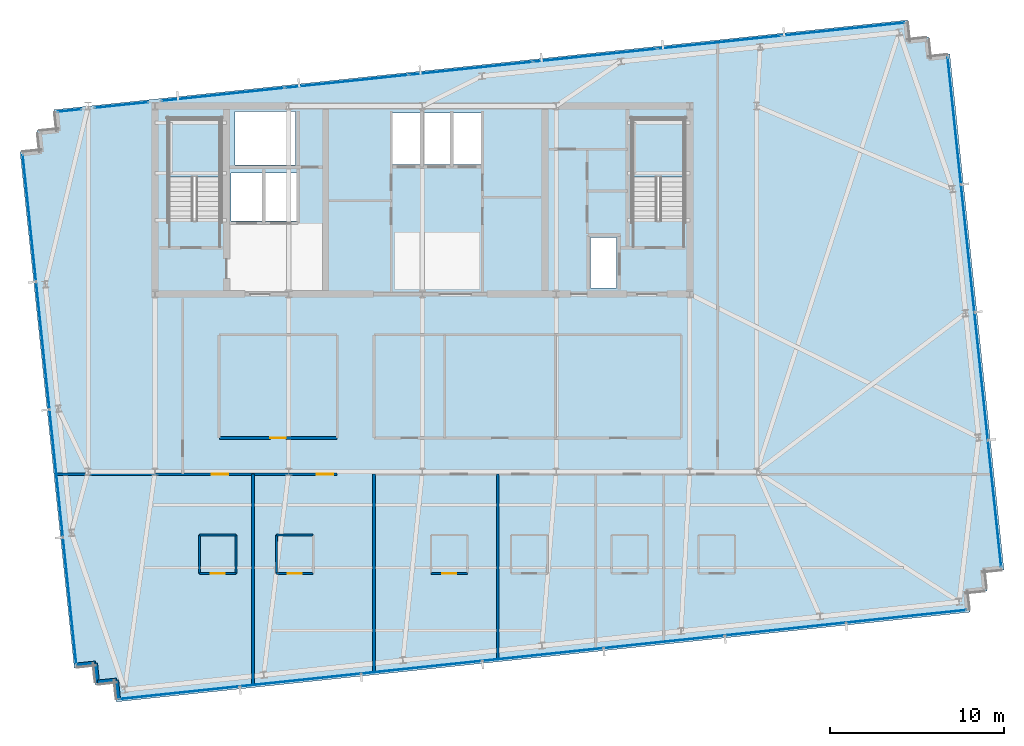
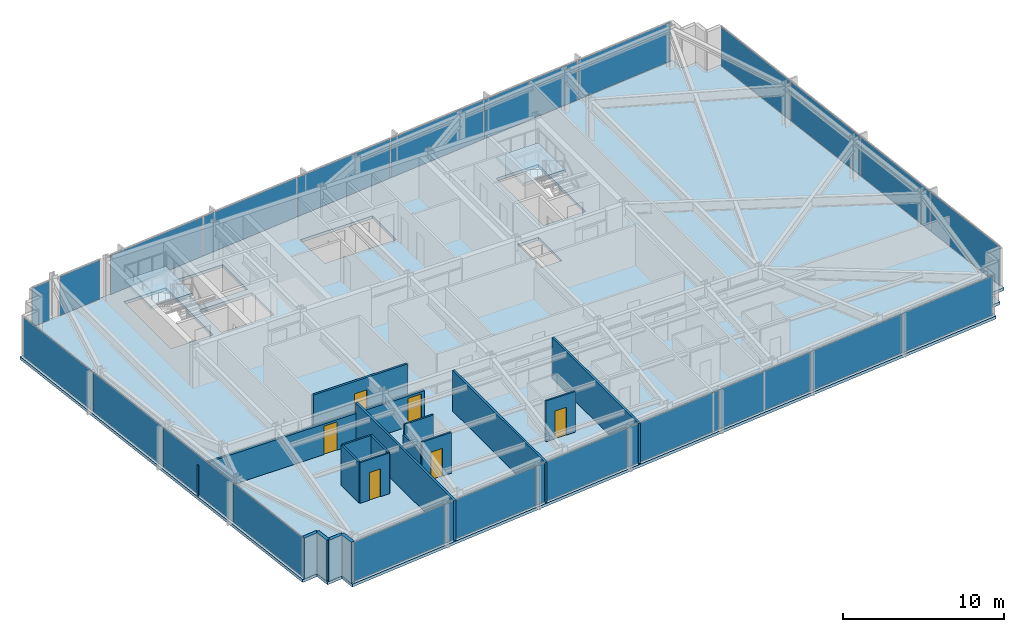
# One storey, part 26 of 33: 23 plates, 17 walls, 6 doors, 3 slabs, 6 openings, 8 elements without a shape of their own.
"""IFC4 building model written with IfcOpenShell, lengths in metres."""

from ifc_helpers import new_model, si_unit, direction, frame, frame_2d, origin, origin_2d, place, context, subcontext, project, spatial, polyline, rectangle, outline, extrude, material, layer, layer_set, type_object, element, fill, aggregate, save


model = new_model("IFC4")

# Units and contexts
model_context = context("Model", 3, precision=1e-05, world=origin(), true_north=direction((0.0, 1.0)))
body_context = subcontext(model_context, "Body", "Model", "MODEL_VIEW")
ifc_project = project(units=[si_unit("LENGTHUNIT", "METRE"), si_unit("AREAUNIT", "SQUARE_METRE"), si_unit("VOLUMEUNIT", "CUBIC_METRE"), si_unit("PLANEANGLEUNIT", "RADIAN"), si_unit("MASSUNIT", "GRAM", prefix="KILO")], contexts=[model_context])

# Site, building, storey
site_placement = place(None, origin())
site = spatial("IfcSite", under=ifc_project, at=site_placement, CompositionType="ELEMENT")
building_placement = place(site_placement, origin())
building = spatial("IfcBuilding", under=site, at=building_placement, Name="Yelkora Congress Tower", CompositionType="ELEMENT")
storey_placement = place(building_placement, frame((0.0, 0.0, 237.5)))
storey = spatial("IfcBuildingStorey", under=building, at=storey_placement, Name="L66", CompositionType="ELEMENT", Elevation=237.5)

# Curtain wall, plates
ifc_material_1 = material(Name="Anodised aluminium and insulated glass", Category="aluminium")
curtain_wall_type = type_object("IfcCurtainWallType", Name="CW-SYS-B4", PredefinedType="NOTDEFINED", material=ifc_material_1)
curtain_wall_1_placement = place(storey_placement, origin())
curtain_wall_1 = element("IfcCurtainWall", 1, at=curtain_wall_1_placement, inside=storey, type_object=curtain_wall_type, Name="L66 Unitised Curtain Wall 5", PredefinedType="NOTDEFINED")
ifc_material_2 = material(Name="Triple-silver diplomatic glass unit B4", Category="glass")
ifc_layer_1 = layer(ifc_material_2, 0.035888671875)
ifc_layer_set_1 = layer_set([ifc_layer_1], Name="Triple-silver diplomatic glass unit B4")
plate_type = type_object("IfcPlateType", Name="PLT-PN-B4", PredefinedType="CURTAIN_PANEL", material=ifc_layer_set_1)
plate_1_placement = place(storey_placement, frame((18.139404296875, 17.7724609375, 0.06005859375), z_axis=(0.0, 0.0, 1.0), x_axis=(-0.104526079034, 0.994522145958, 0.0)))
plate_1 = element("IfcPlate", 2, at=plate_1_placement, type_object=plate_type, Name="CW-B4 panel 1.1", PredefinedType="CURTAIN_PANEL", context=body_context, shape_type="SweptSolid", body=[
    extrude(rectangle(XDim=7.282470703125, YDim=0.035888671875, at=origin_2d()), origin(), (0.0, 0.0, 1.0), 2.9599609375),
])
plate_2_placement = place(storey_placement, frame((17.36962890625, 25.095703125, 0.06005859375), z_axis=(0.0, 0.0, 1.0), x_axis=(-0.104526079034, 0.994522145958, 0.0)))
plate_2 = element("IfcPlate", 3, at=plate_2_placement, type_object=plate_type, Name="CW-B4 panel 2.1", PredefinedType="CURTAIN_PANEL", context=body_context, shape_type="SweptSolid", body=[
    extrude(rectangle(XDim=7.31494140625, YDim=0.035888671875, at=origin_2d()), origin(), (0.0, 0.0, 1.0), 2.9599609375),
])
plate_3_placement = place(storey_placement, frame((16.59814453125, 32.435302734375, 0.06005859375), z_axis=(0.0, 0.0, 1.0), x_axis=(-0.104526079034, 0.994522145958, 0.0)))
plate_3 = element("IfcPlate", 4, at=plate_3_placement, type_object=plate_type, Name="CW-B4 panel 3.1", PredefinedType="CURTAIN_PANEL", context=body_context, shape_type="SweptSolid", body=[
    extrude(rectangle(XDim=7.31494140625, YDim=0.035888671875, at=origin_2d()), origin(), (0.0, 0.0, 1.0), 2.9599609375),
])
plate_4_placement = place(storey_placement, frame((15.82861328125, 39.7587890625, 0.06005859375), z_axis=(0.0, 0.0, 1.0), x_axis=(-0.104526079034, 0.994522145958, 0.0)))
plate_4 = element("IfcPlate", 5, at=plate_4_placement, type_object=plate_type, Name="CW-B4 panel 4.1", PredefinedType="CURTAIN_PANEL", context=body_context, shape_type="SweptSolid", body=[
    extrude(rectangle(XDim=7.282470703125, YDim=0.035888671875, at=origin_2d()), origin(), (0.0, 0.0, 1.0), 2.9599609375),
])
aggregate(curtain_wall_1, [plate_1, plate_2, plate_3, plate_4])

# Curtain wall, plate
curtain_wall_2_placement = place(storey_placement, origin())
curtain_wall_2 = element("IfcCurtainWall", 6, at=curtain_wall_2_placement, inside=storey, type_object=curtain_wall_type, Name="L66 Unitised Curtain Wall 10 (1)", PredefinedType="NOTDEFINED")
plate_5_placement = place(storey_placement, frame((18.136474609375, 45.940185546875, 0.06005859375), z_axis=(0.0, 0.0, 1.0), x_axis=(0.994523910137, 0.104509292244, 0.0)))
plate_5 = element("IfcPlate", 7, at=plate_5_placement, type_object=plate_type, Name="CW-B4 panel 1.1", PredefinedType="CURTAIN_PANEL", context=body_context, shape_type="SweptSolid", body=[
    extrude(rectangle(XDim=1.35302734375, YDim=0.035888671875, at=origin_2d()), origin(), (0.0, 0.0, 1.0), 2.9599609375),
])
aggregate(curtain_wall_2, [plate_5])

curtain_wall_3_placement = place(storey_placement, origin())
curtain_wall_3 = element("IfcCurtainWall", 8, at=curtain_wall_3_placement, inside=storey, type_object=curtain_wall_type, Name="L66 Unitised Curtain Wall 10 (2)", PredefinedType="NOTDEFINED")
plate_6_placement = place(storey_placement, frame((21.1201171875, 46.253662109375, 0.06005859375), z_axis=(0.0, 0.0, 1.0), x_axis=(0.994524239868, 0.104506154437, 0.0)))
plate_6 = element("IfcPlate", 9, at=plate_6_placement, type_object=plate_type, Name="CW-B4 panel 1.1", PredefinedType="CURTAIN_PANEL", context=body_context, shape_type="SweptSolid", body=[
    extrude(rectangle(XDim=3.075439453125, YDim=0.035888671875, at=origin_2d()), origin(), (0.0, 0.0, 1.0), 2.9599609375),
])
aggregate(curtain_wall_3, [plate_6])

# Curtain wall, plates
curtain_wall_4_placement = place(storey_placement, origin())
curtain_wall_4 = element("IfcCurtainWall", 10, at=curtain_wall_4_placement, inside=storey, type_object=curtain_wall_type, Name="L66 Unitised Curtain Wall 10 (3)", PredefinedType="NOTDEFINED")
plate_7_placement = place(storey_placement, frame((26.947509765625, 46.8662109375, 0.06005859375), z_axis=(0.0, 0.0, 1.0), x_axis=(0.994521973066, 0.104527724021, 0.0)))
plate_7 = element("IfcPlate", 11, at=plate_7_placement, type_object=plate_type, Name="CW-B4 panel 1.1", PredefinedType="CURTAIN_PANEL", context=body_context, shape_type="SweptSolid", body=[
    extrude(rectangle(XDim=7.072509765625, YDim=0.035888671875, at=origin_2d()), origin(), (0.0, 0.0, 1.0), 2.9599609375),
])
plate_8_placement = place(storey_placement, frame((34.06201171875, 47.614013671875, 0.06005859375), z_axis=(0.0, 0.0, 1.0), x_axis=(0.994521973066, 0.104527724021, 0.0)))
plate_8 = element("IfcPlate", 12, at=plate_8_placement, type_object=plate_type, Name="CW-B4 panel 2.1", PredefinedType="CURTAIN_PANEL", context=body_context, shape_type="SweptSolid", body=[
    extrude(rectangle(XDim=7.10498046875, YDim=0.035888671875, at=origin_2d()), origin(), (0.0, 0.0, 1.0), 2.9599609375),
])
plate_9_placement = place(storey_placement, frame((41.19287109375, 48.363525390625, 0.06005859375), z_axis=(0.0, 0.0, 1.0), x_axis=(0.994521973066, 0.104527724021, 0.0)))
plate_9 = element("IfcPlate", 13, at=plate_9_placement, type_object=plate_type, Name="CW-B4 panel 3.1", PredefinedType="CURTAIN_PANEL", context=body_context, shape_type="SweptSolid", body=[
    extrude(rectangle(XDim=7.10498046875, YDim=0.035888671875, at=origin_2d()), origin(), (0.0, 0.0, 1.0), 2.9599609375),
])
plate_10_placement = place(storey_placement, frame((48.32373046875, 49.113037109375, 0.06005859375), z_axis=(0.0, 0.0, 1.0), x_axis=(0.994521973066, 0.104527724021, 0.0)))
plate_10 = element("IfcPlate", 14, at=plate_10_placement, type_object=plate_type, Name="CW-B4 panel 4.1", PredefinedType="CURTAIN_PANEL", context=body_context, shape_type="SweptSolid", body=[
    extrude(rectangle(XDim=7.10498046875, YDim=0.035888671875, at=origin_2d()), origin(), (0.0, 0.0, 1.0), 2.9599609375),
])
plate_11_placement = place(storey_placement, frame((55.454345703125, 49.8623046875, 0.06005859375), z_axis=(0.0, 0.0, 1.0), x_axis=(0.994521973066, 0.104527724021, 0.0)))
plate_11 = element("IfcPlate", 15, at=plate_11_placement, type_object=plate_type, Name="CW-B4 panel 5.1", PredefinedType="CURTAIN_PANEL", context=body_context, shape_type="SweptSolid", body=[
    extrude(rectangle(XDim=7.10498046875, YDim=0.035888671875, at=origin_2d()), origin(), (0.0, 0.0, 1.0), 2.9599609375),
])
plate_12_placement = place(storey_placement, frame((62.56884765625, 50.610107421875, 0.06005859375), z_axis=(0.0, 0.0, 1.0), x_axis=(0.994521973066, 0.104527724021, 0.0)))
plate_12 = element("IfcPlate", 16, at=plate_12_placement, type_object=plate_type, Name="CW-B4 panel 6.1", PredefinedType="CURTAIN_PANEL", context=body_context, shape_type="SweptSolid", body=[
    extrude(rectangle(XDim=7.072509765625, YDim=0.035888671875, at=origin_2d()), origin(), (0.0, 0.0, 1.0), 2.9599609375),
])
aggregate(curtain_wall_4, [plate_7, plate_8, plate_9, plate_10, plate_11, plate_12])

curtain_wall_5_placement = place(storey_placement, origin())
curtain_wall_5 = element("IfcCurtainWall", 17, at=curtain_wall_5_placement, inside=storey, type_object=curtain_wall_type, Name="L66 Unitised Curtain Wall 15", PredefinedType="NOTDEFINED")
plate_13_placement = place(storey_placement, frame((68.955810546875, 45.3427734375, 0.06005859375), z_axis=(0.0, 0.0, 1.0), x_axis=(0.104525726898, -0.994522182968, 0.0)))
plate_13 = element("IfcPlate", 18, at=plate_13_placement, type_object=plate_type, Name="CW-B4 panel 1.1", PredefinedType="CURTAIN_PANEL", context=body_context, shape_type="SweptSolid", body=[
    extrude(rectangle(XDim=7.282470703125, YDim=0.035888671875, at=origin_2d()), origin(), (0.0, 0.0, 1.0), 2.9599609375),
])
plate_14_placement = place(storey_placement, frame((69.7255859375, 38.019287109375, 0.06005859375), z_axis=(0.0, 0.0, 1.0), x_axis=(0.104525726898, -0.994522182968, 0.0)))
plate_14 = element("IfcPlate", 19, at=plate_14_placement, type_object=plate_type, Name="CW-B4 panel 2.1", PredefinedType="CURTAIN_PANEL", context=body_context, shape_type="SweptSolid", body=[
    extrude(rectangle(XDim=7.31494140625, YDim=0.035888671875, at=origin_2d()), origin(), (0.0, 0.0, 1.0), 2.9599609375),
])
plate_15_placement = place(storey_placement, frame((70.496826171875, 30.6796875, 0.06005859375), z_axis=(0.0, 0.0, 1.0), x_axis=(0.104525726898, -0.994522182968, 0.0)))
plate_15 = element("IfcPlate", 20, at=plate_15_placement, type_object=plate_type, Name="CW-B4 panel 3.1", PredefinedType="CURTAIN_PANEL", context=body_context, shape_type="SweptSolid", body=[
    extrude(rectangle(XDim=7.31494140625, YDim=0.035888671875, at=origin_2d()), origin(), (0.0, 0.0, 1.0), 2.9599609375),
])
plate_16_placement = place(storey_placement, frame((71.2666015625, 23.356201171875, 0.06005859375), z_axis=(0.0, 0.0, 1.0), x_axis=(0.104525726898, -0.994522182968, 0.0)))
plate_16 = element("IfcPlate", 21, at=plate_16_placement, type_object=plate_type, Name="CW-B4 panel 4.1", PredefinedType="CURTAIN_PANEL", context=body_context, shape_type="SweptSolid", body=[
    extrude(rectangle(XDim=7.282470703125, YDim=0.035888671875, at=origin_2d()), origin(), (0.0, 0.0, 1.0), 2.9599609375),
])
aggregate(curtain_wall_5, [plate_13, plate_14, plate_15, plate_16])

curtain_wall_6_placement = place(storey_placement, origin())
curtain_wall_6 = element("IfcCurtainWall", 22, at=curtain_wall_6_placement, inside=storey, type_object=curtain_wall_type, Name="L66 Unitised Curtain Wall 20", PredefinedType="NOTDEFINED")
plate_17_placement = place(storey_placement, frame((66.19775390625, 16.884765625, 0.06005859375), z_axis=(0.0, 0.0, 1.0), x_axis=(-0.994522084373, -0.104526664994, 0.0)))
plate_17 = element("IfcPlate", 23, at=plate_17_placement, type_object=plate_type, Name="CW-B4 panel 1.1", PredefinedType="CURTAIN_PANEL", context=body_context, shape_type="SweptSolid", body=[
    extrude(rectangle(XDim=6.9052734375, YDim=0.035888671875, at=origin_2d()), origin(), (0.0, 0.0, 1.0), 2.9599609375),
])
plate_18_placement = place(storey_placement, frame((59.249267578125, 16.154541015625, 0.06005859375), z_axis=(0.0, 0.0, 1.0), x_axis=(-0.994522084373, -0.104526664994, 0.0)))
plate_18 = element("IfcPlate", 24, at=plate_18_placement, type_object=plate_type, Name="CW-B4 panel 2.1", PredefinedType="CURTAIN_PANEL", context=body_context, shape_type="SweptSolid", body=[
    extrude(rectangle(XDim=6.937744140625, YDim=0.035888671875, at=origin_2d()), origin(), (0.0, 0.0, 1.0), 2.9599609375),
])
plate_19_placement = place(storey_placement, frame((52.284912109375, 15.42236328125, 0.06005859375), z_axis=(0.0, 0.0, 1.0), x_axis=(-0.994522084373, -0.104526664994, 0.0)))
plate_19 = element("IfcPlate", 25, at=plate_19_placement, type_object=plate_type, Name="CW-B4 panel 3.1", PredefinedType="CURTAIN_PANEL", context=body_context, shape_type="SweptSolid", body=[
    extrude(rectangle(XDim=6.937744140625, YDim=0.035888671875, at=origin_2d()), origin(), (0.0, 0.0, 1.0), 2.9599609375),
])
plate_20_placement = place(storey_placement, frame((45.3203125, 14.6904296875, 0.06005859375), z_axis=(0.0, 0.0, 1.0), x_axis=(-0.994522084373, -0.104526664994, 0.0)))
plate_20 = element("IfcPlate", 26, at=plate_20_placement, type_object=plate_type, Name="CW-B4 panel 4.1", PredefinedType="CURTAIN_PANEL", context=body_context, shape_type="SweptSolid", body=[
    extrude(rectangle(XDim=6.937744140625, YDim=0.035888671875, at=origin_2d()), origin(), (0.0, 0.0, 1.0), 2.9599609375),
])
plate_21_placement = place(storey_placement, frame((38.35595703125, 13.95849609375, 0.06005859375), z_axis=(0.0, 0.0, 1.0), x_axis=(-0.994522084373, -0.104526664994, 0.0)))
plate_21 = element("IfcPlate", 27, at=plate_21_placement, type_object=plate_type, Name="CW-B4 panel 5.1", PredefinedType="CURTAIN_PANEL", context=body_context, shape_type="SweptSolid", body=[
    extrude(rectangle(XDim=6.937744140625, YDim=0.035888671875, at=origin_2d()), origin(), (0.0, 0.0, 1.0), 2.9599609375),
])
plate_22_placement = place(storey_placement, frame((31.391357421875, 13.2265625, 0.06005859375), z_axis=(0.0, 0.0, 1.0), x_axis=(-0.994522084373, -0.104526664994, 0.0)))
plate_22 = element("IfcPlate", 28, at=plate_22_placement, type_object=plate_type, Name="CW-B4 panel 6.1", PredefinedType="CURTAIN_PANEL", context=body_context, shape_type="SweptSolid", body=[
    extrude(rectangle(XDim=6.937744140625, YDim=0.035888671875, at=origin_2d()), origin(), (0.0, 0.0, 1.0), 2.9599609375),
])
plate_23_placement = place(storey_placement, frame((24.443115234375, 12.49609375, 0.06005859375), z_axis=(0.0, 0.0, 1.0), x_axis=(-0.994522084373, -0.104526664994, 0.0)))
plate_23 = element("IfcPlate", 29, at=plate_23_placement, type_object=plate_type, Name="CW-B4 panel 7.1", PredefinedType="CURTAIN_PANEL", context=body_context, shape_type="SweptSolid", body=[
    extrude(rectangle(XDim=6.9052734375, YDim=0.035888671875, at=origin_2d()), origin(), (0.0, 0.0, 1.0), 2.9599609375),
])
aggregate(curtain_wall_6, [plate_17, plate_18, plate_19, plate_20, plate_21, plate_22, plate_23])

# Stair, slab
ifc_material_3 = material(Name="Concrete C40/50", Category="concrete")
stair_type = type_object("IfcStairType", Name="STAIR-HT-1420-R20-165", PredefinedType="HALF_TURN_STAIR", material=ifc_material_3)
stair_1_placement = place(storey_placement, origin())
stair_1 = element("IfcStair", 30, at=stair_1_placement, inside=storey, type_object=stair_type, Name="West Core Protected Exit Stair ST-01 (L66)", PredefinedType="HALF_TURN_STAIR")
ifc_layer_2 = layer(ifc_material_3, 0.219970703125)
ifc_layer_set_2 = layer_set([ifc_layer_2], Name="Concrete C40/50")
slab_type_1 = type_object("IfcSlabType", Name="SLAB-LANDING-220", PredefinedType="LANDING", material=ifc_layer_set_2)
slab_1_placement = place(storey_placement, frame((0.0, 0.0, 1.429931640625)))
slab_1 = element("IfcSlab", 31, at=slab_1_placement, type_object=slab_type_1, Name="ST-01 L66 Half Landing 1", PredefinedType="LANDING", context=body_context, shape_type="SweptSolid", body=[
    extrude(outline(polyline([(26.820068359375, 42.1201171875), (26.820068359375, 45.469970703125), (23.820068359375, 45.469970703125), (23.820068359375, 42.1201171875), (26.820068359375, 42.1201171875)])), origin(), (0.0, 0.0, 1.0), 0.219970703125),
])
aggregate(stair_1, [slab_1])

stair_2_placement = place(storey_placement, origin())
stair_2 = element("IfcStair", 32, at=stair_2_placement, inside=storey, type_object=stair_type, Name="East Core Protected Exit Stair ST-02 (L66)", PredefinedType="HALF_TURN_STAIR")
slab_2_placement = place(storey_placement, frame((0.0, 0.0, 1.429931640625)))
slab_2 = element("IfcSlab", 33, at=slab_2_placement, type_object=slab_type_1, Name="ST-02 L66 Half Landing 1", PredefinedType="LANDING", context=body_context, shape_type="SweptSolid", body=[
    extrude(outline(polyline([(53.4599609375, 42.1201171875), (53.4599609375, 45.469970703125), (50.4599609375, 45.469970703125), (50.4599609375, 42.1201171875), (53.4599609375, 42.1201171875)])), origin(), (0.0, 0.0, 1.0), 0.219970703125),
])
aggregate(stair_2, [slab_2])

# Slab
ifc_layer_3 = layer(ifc_material_3, 0.219970703125)
ifc_layer_set_3 = layer_set([ifc_layer_3], Name="Concrete C40/50")
slab_type_2 = type_object("IfcSlabType", Name="SLAB-TWR-220", PredefinedType="FLOOR", material=ifc_layer_set_3)
slab_3_placement = place(storey_placement, frame((0.0, 0.0, -0.219970703125)))
element("IfcSlab", 34, at=slab_3_placement, inside=storey, type_object=slab_type_2, Name="L66 Structural Floor Slab", PredefinedType="FLOOR", context=body_context, shape_type="SweptSolid", body=[
    extrude(outline(polyline([(20.820068359375, 11.974609375), (69.85009765625, 17.127685546875), (69.735107421875, 18.2216796875), (70.828857421875, 18.3369140625), (70.714111328125, 19.430908203125), (71.807861328125, 19.545654296875), (68.693115234375, 49.1826171875), (67.59912109375, 49.0673828125), (67.48388671875, 50.16162109375), (66.39013671875, 50.04638671875), (66.275146484375, 51.140380859375), (17.2451171875, 45.9873046875), (17.360107421875, 44.893310546875), (16.26611328125, 44.7783203125), (16.381103515625, 43.684326171875), (15.287109375, 43.5693359375), (18.402099609375, 13.9326171875), (19.49609375, 14.047607421875), (19.611083984375, 12.95361328125), (20.705078125, 13.068603515625), (20.820068359375, 11.974609375)]), holes=[polyline([(23.820068359375, 39.6298828125), (26.820068359375, 39.6298828125), (26.820068359375, 45.469970703125), (23.820068359375, 45.469970703125), (23.820068359375, 39.6298828125)]), polyline([(50.4599609375, 39.6298828125), (53.4599609375, 39.6298828125), (53.4599609375, 45.469970703125), (50.4599609375, 45.469970703125), (50.4599609375, 39.6298828125)]), polyline([(48.050048828125, 35.75), (49.550048828125, 35.75), (49.550048828125, 38.64990234375), (48.050048828125, 38.64990234375), (48.050048828125, 35.75)]), polyline([(36.64990234375, 42.85009765625), (41.800048828125, 42.85009765625), (41.800048828125, 45.800048828125), (36.64990234375, 45.800048828125), (36.64990234375, 42.85009765625)]), polyline([(27.419921875, 39.60009765625), (31.179931640625, 39.60009765625), (31.179931640625, 42.35009765625), (27.419921875, 42.35009765625), (27.419921875, 39.60009765625)]), polyline([(27.64990234375, 42.820068359375), (31.1201171875, 42.820068359375), (31.1201171875, 45.8798828125), (27.64990234375, 45.8798828125), (27.64990234375, 42.820068359375)])]), origin(), (0.0, 0.0, 1.0), 0.219970703125),
])

# Walls
ifc_layer_4 = layer(ifc_material_3, 0.239990234375)
ifc_layer_set_4 = layer_set([ifc_layer_4], Name="Concrete C40/50")
wall_type_1 = type_object("IfcWallType", Name="WALL-EXT-LIMESTONE-240", PredefinedType="SOLIDWALL", material=ifc_layer_set_4)
for number, where, z_axis, x_axis, name in (
    (35, (20.944580078125, 12.12841796875, 0.0), (0.0, 0.0, 1.0), (-0.104534592565, 0.994521251134, 0.0), "L66 Serrated Corner Limestone Pier 1"),
    (36, (20.82958984375, 13.222412109375, 0.0), (0.0, 0.0, 1.0), (-0.994521251134, -0.104534592565, 0.0), "L66 Serrated Corner Limestone Pier 2"),
    (37, (19.735595703125, 13.107421875, 0.0), (0.0, 0.0, 1.0), (-0.104534592565, 0.994521251134, 0.0), "L66 Serrated Corner Limestone Pier 3"),
    (38, (19.62060546875, 14.201416015625, 0.0), (0.0, 0.0, 1.0), (-0.994521251134, -0.104534592565, 0.0), "L66 Serrated Corner Limestone Pier 4"),
):
    element("IfcWall", number, at=place(storey_placement, frame(where, z_axis=z_axis, x_axis=x_axis)), inside=storey, type_object=wall_type_1, Name=name, PredefinedType="SOLIDWALL", context=body_context, shape_type="SweptSolid", body=[
        extrude(rectangle(XDim=1.10009765625, YDim=0.239990234375, at=frame_2d((0.550048828125, 0.0))), origin(), (0.0, 0.0, 1.0), 3.080078125),
    ])
ifc_material_4 = material(Name="Moisture-resistant gypsum partition", Category="gypsum")
ifc_layer_5 = layer(ifc_material_4, 0.1201171875)
ifc_layer_set_5 = layer_set([ifc_layer_5], Name="Moisture-resistant gypsum partition")
wall_type_2 = type_object("IfcWallType", Name="WALL-INT-120-NR", PredefinedType="PARTITIONING", material=ifc_layer_set_5)
wall_1_placement = place(storey_placement, frame((25.60498046875, 21.550048828125, 0.0), z_axis=(0.0, 0.0, 1.0), x_axis=(1.0, 0.0, 0.0)))
element("IfcWall", 39, at=wall_1_placement, inside=storey, type_object=wall_type_2, Name="L66 Partition Wall 23", PredefinedType="PARTITIONING", context=body_context, shape_type="SweptSolid", body=[
    extrude(rectangle(XDim=2.10009765625, YDim=0.1201171875, at=frame_2d((1.050048828125, 0.0))), origin(), (0.0, 0.0, 1.0), 3.080078125),
])
for number, where, z_axis, x_axis, name in (
    (40, (25.60498046875, 19.35009765625, 0.0), (0.0, 0.0, 1.0), (0.0, 1.0, 0.0), "L66 Partition Wall 24"),
    (41, (27.705078125, 19.35009765625, 0.0), (0.0, 0.0, 1.0), (0.0, 1.0, 0.0), "L66 Partition Wall 25"),
):
    element("IfcWall", number, at=place(storey_placement, frame(where, z_axis=z_axis, x_axis=x_axis)), inside=storey, type_object=wall_type_2, Name=name, PredefinedType="PARTITIONING", context=body_context, shape_type="SweptSolid", body=[
        extrude(rectangle(XDim=2.199951171875, YDim=0.1201171875, at=frame_2d((1.10009765625, 0.0))), origin(), (0.0, 0.0, 1.0), 3.080078125),
    ])

# Wall, opening, door
wall_2_placement = place(storey_placement, frame((25.60498046875, 19.35009765625, 0.0), z_axis=(0.0, 0.0, 1.0), x_axis=(1.0, 0.0, 0.0)))
wall_2 = element("IfcWall", 42, at=wall_2_placement, inside=storey, type_object=wall_type_2, Name="L66 Partition Wall 26", PredefinedType="PARTITIONING", context=body_context, shape_type="SweptSolid", body=[
    extrude(rectangle(XDim=2.10009765625, YDim=0.1201171875, at=frame_2d((1.050048828125, 0.0))), origin(), (0.0, 0.0, 1.0), 3.080078125),
])
opening_1_placement = place(wall_2_placement, frame((0.64990234375, 0.0, 0.0)))
opening_1 = element("IfcOpeningElement", 43, at=opening_1_placement, cuts=wall_2, Name="Opening DR-080B", PredefinedType="OPENING", context=body_context, shape_type="SweptSolid", body=[
    extrude(rectangle(XDim=0.800048828125, YDim=2.10009765625, at=frame_2d((0.39990234375, 1.050048828125))), frame((0.0, 0.070068359375, 0.0), z_axis=(0.0, -1.0, 0.0), x_axis=(1.0, 0.0, 0.0)), (0.0, 0.0, 1.0), 0.14013671875),
])
ifc_material_5 = material(Name="Moisture-sealed en-suite timber door", Category="wood")
door_type_1 = type_object("IfcDoorType", Name="DOOR-BATH-800", OperationType="NOTDEFINED", PredefinedType="DOOR", material=ifc_material_5)
door_1_placement = place(opening_1_placement, origin())
door_1 = element("IfcDoor", 44, at=door_1_placement, inside=storey, type_object=door_type_1, Name="L66 En-suite Door 1", OperationType="SINGLE_SWING_RIGHT", OverallHeight=2.10009765625, OverallWidth=0.800048828125, PredefinedType="DOOR", context=body_context, shape_type="SweptSolid", body=[
    extrude(rectangle(XDim=0.800048828125, YDim=2.10009765625, at=frame_2d((0.39990234375, 1.050048828125))), frame((0.0, 0.02490234375, 0.0), z_axis=(0.0, -1.0, 0.0), x_axis=(1.0, 0.0, 0.0)), (0.0, 0.0, 1.0), 0.050048828125),
])
fill(opening_1, door_1)

# Walls
wall_3_placement = place(storey_placement, frame((30.030029296875, 21.550048828125, 0.0), z_axis=(0.0, 0.0, 1.0), x_axis=(1.0, 0.0, 0.0)))
element("IfcWall", 45, at=wall_3_placement, inside=storey, type_object=wall_type_2, Name="L66 Partition Wall 27", PredefinedType="PARTITIONING", context=body_context, shape_type="SweptSolid", body=[
    extrude(rectangle(XDim=2.099853515625, YDim=0.1201171875, at=frame_2d((1.0498046875, 0.0))), origin(), (0.0, 0.0, 1.0), 3.080078125),
])
wall_4_placement = place(storey_placement, frame((30.030029296875, 19.35009765625, 0.0), z_axis=(0.0, 0.0, 1.0), x_axis=(0.0, 1.0, 0.0)))
element("IfcWall", 46, at=wall_4_placement, inside=storey, type_object=wall_type_2, Name="L66 Partition Wall 28", PredefinedType="PARTITIONING", context=body_context, shape_type="SweptSolid", body=[
    extrude(rectangle(XDim=2.199951171875, YDim=0.1201171875, at=frame_2d((1.10009765625, 0.0))), origin(), (0.0, 0.0, 1.0), 2.31298828125),
])

# Wall, opening, door
wall_5_placement = place(storey_placement, frame((30.030029296875, 19.35009765625, 0.0), z_axis=(0.0, 0.0, 1.0), x_axis=(1.0, 0.0, 0.0)))
wall_5 = element("IfcWall", 47, at=wall_5_placement, inside=storey, type_object=wall_type_2, Name="L66 Partition Wall 30", PredefinedType="PARTITIONING", context=body_context, shape_type="SweptSolid", body=[
    extrude(rectangle(XDim=2.099853515625, YDim=0.1201171875, at=frame_2d((1.0498046875, 0.0))), origin(), (0.0, 0.0, 1.0), 3.080078125),
])
opening_2_placement = place(wall_5_placement, frame((0.64990234375, 0.0, 0.0)))
opening_2 = element("IfcOpeningElement", 48, at=opening_2_placement, cuts=wall_5, Name="Opening DR-080B", PredefinedType="OPENING", context=body_context, shape_type="SweptSolid", body=[
    extrude(rectangle(XDim=0.800048828125, YDim=2.10009765625, at=frame_2d((0.39990234375, 1.050048828125))), frame((0.0, 0.070068359375, 0.0), z_axis=(0.0, -1.0, 0.0), x_axis=(1.0, 0.0, 0.0)), (0.0, 0.0, 1.0), 0.14013671875),
])
door_2_placement = place(opening_2_placement, origin())
door_2 = element("IfcDoor", 49, at=door_2_placement, inside=storey, type_object=door_type_1, Name="L66 En-suite Door 2", OperationType="SINGLE_SWING_LEFT", OverallHeight=2.10009765625, OverallWidth=0.800048828125, PredefinedType="DOOR", context=body_context, shape_type="SweptSolid", body=[
    extrude(rectangle(XDim=0.800048828125, YDim=2.10009765625, at=frame_2d((0.39990234375, 1.050048828125))), frame((0.0, 0.02490234375, 0.0), z_axis=(0.0, -1.0, 0.0), x_axis=(1.0, 0.0, 0.0)), (0.0, 0.0, 1.0), 0.050048828125),
])
fill(opening_2, door_2)

wall_6_placement = place(storey_placement, frame((38.89990234375, 19.35009765625, 0.0), z_axis=(0.0, 0.0, 1.0), x_axis=(1.0, 0.0, 0.0)))
wall_6 = element("IfcWall", 50, at=wall_6_placement, inside=storey, type_object=wall_type_2, Name="L66 Partition Wall 35", PredefinedType="PARTITIONING", context=body_context, shape_type="SweptSolid", body=[
    extrude(rectangle(XDim=2.10009765625, YDim=0.1201171875, at=frame_2d((1.050048828125, 0.0))), origin(), (0.0, 0.0, 1.0), 3.080078125),
])
opening_3_placement = place(wall_6_placement, frame((0.64990234375, 0.0, 0.0)))
opening_3 = element("IfcOpeningElement", 51, at=opening_3_placement, cuts=wall_6, Name="Opening DR-080B", PredefinedType="OPENING", context=body_context, shape_type="SweptSolid", body=[
    extrude(rectangle(XDim=0.800048828125, YDim=2.10009765625, at=frame_2d((0.39990234375, 1.050048828125))), frame((0.0, 0.070068359375, 0.0), z_axis=(0.0, -1.0, 0.0), x_axis=(1.0, 0.0, 0.0)), (0.0, 0.0, 1.0), 0.14013671875),
])
door_3_placement = place(opening_3_placement, origin())
door_3 = element("IfcDoor", 52, at=door_3_placement, inside=storey, type_object=door_type_1, Name="L66 En-suite Door 4", OperationType="SINGLE_SWING_RIGHT", OverallHeight=2.10009765625, OverallWidth=0.800048828125, PredefinedType="DOOR", context=body_context, shape_type="SweptSolid", body=[
    extrude(rectangle(XDim=0.800048828125, YDim=2.10009765625, at=frame_2d((0.39990234375, 1.050048828125))), frame((0.0, 0.02490234375, 0.0), z_axis=(0.0, -1.0, 0.0), x_axis=(1.0, 0.0, 0.0)), (0.0, 0.0, 1.0), 0.050048828125),
])
fill(opening_3, door_3)

ifc_material_6 = material(Name="Acoustic metal-stud gypsum partition", Category="gypsum")
ifc_layer_6 = layer(ifc_material_6, 0.14990234375)
ifc_layer_set_6 = layer_set([ifc_layer_6], Name="Acoustic metal-stud gypsum partition")
wall_type_3 = type_object("IfcWallType", Name="WALL-INT-150-NR", PredefinedType="PARTITIONING", material=ifc_layer_set_6)
wall_7_placement = place(storey_placement, frame((26.739990234375, 27.1298828125, 0.0), z_axis=(0.0, 0.0, 1.0), x_axis=(1.0, 0.0, 0.0)))
wall_7 = element("IfcWall", 53, at=wall_7_placement, inside=storey, type_object=wall_type_3, Name="L66 Partition Wall 62", PredefinedType="PARTITIONING", context=body_context, shape_type="SweptSolid", body=[
    extrude(rectangle(XDim=6.75, YDim=0.14990234375, at=frame_2d((3.375, 0.0))), origin(), (0.0, 0.0, 1.0), 3.080078125),
])
opening_4_placement = place(wall_7_placement, frame((2.925048828125, 0.0, 0.0)))
opening_4 = element("IfcOpeningElement", 54, at=opening_4_placement, cuts=wall_7, Name="Opening DR-090N", PredefinedType="OPENING", context=body_context, shape_type="SweptSolid", body=[
    extrude(rectangle(XDim=0.89990234375, YDim=2.14990234375, at=frame_2d((0.449951171875, 1.074951171875))), frame((0.0, 0.0849609375, 0.0), z_axis=(0.0, -1.0, 0.0), x_axis=(1.0, 0.0, 0.0)), (0.0, 0.0, 1.0), 0.169921875),
])
ifc_material_7 = material(Name="Moisture-resistant laminate door leaf", Category="wood")
door_type_2 = type_object("IfcDoorType", Name="DOOR-INT-900", OperationType="NOTDEFINED", PredefinedType="DOOR", material=ifc_material_7)
door_4_placement = place(opening_4_placement, origin())
door_4 = element("IfcDoor", 55, at=door_4_placement, inside=storey, type_object=door_type_2, Name="L66 Housekeeping & Linen Room Door", OperationType="SINGLE_SWING_RIGHT", OverallHeight=2.14990234375, OverallWidth=0.89990234375, PredefinedType="DOOR", context=body_context, shape_type="SweptSolid", body=[
    extrude(rectangle(XDim=0.89990234375, YDim=2.14990234375, at=frame_2d((0.449951171875, 1.074951171875))), frame((0.0, 0.02490234375, 0.0), z_axis=(0.0, -1.0, 0.0), x_axis=(1.0, 0.0, 0.0)), (0.0, 0.0, 1.0), 0.050048828125),
])
fill(opening_4, door_4)

# Walls
ifc_material_8 = material(Name="Twin-stud fire-rated gypsum partition", Category="gypsum")
ifc_layer_7 = layer(ifc_material_8, 0.14990234375)
ifc_layer_set_7 = layer_set([ifc_layer_7], Name="Twin-stud fire-rated gypsum partition")
wall_type_4 = type_object("IfcWallType", Name="WALL-INT-150-R60", PredefinedType="PARTITIONING", material=ifc_layer_set_7)
wall_8_placement = place(storey_placement, frame((28.669921875, 12.880126953125, 0.0), z_axis=(0.0, 0.0, 1.0), x_axis=(0.0, 1.0, 0.0)))
element("IfcWall", 56, at=wall_8_placement, inside=storey, type_object=wall_type_4, Name="L66 Partition Wall 31", PredefinedType="PARTITIONING", context=body_context, shape_type="SweptSolid", body=[
    extrude(rectangle(XDim=12.18994140625, YDim=0.14990234375, at=frame_2d((6.094970703125, 0.0))), origin(), (0.0, 0.0, 1.0), 3.080078125),
])
wall_9_placement = place(storey_placement, frame((35.6201171875, 13.610595703125, 0.0), z_axis=(0.0, 0.0, 1.0), x_axis=(0.0, 1.0, 0.0)))
element("IfcWall", 57, at=wall_9_placement, inside=storey, type_object=wall_type_4, Name="L66 Partition Wall 36", PredefinedType="PARTITIONING", context=body_context, shape_type="SweptSolid", body=[
    extrude(rectangle(XDim=11.45947265625, YDim=0.14990234375, at=frame_2d((5.729736328125, 0.0))), origin(), (0.0, 0.0, 1.0), 3.080078125),
])
wall_10_placement = place(storey_placement, frame((42.73095703125, 14.35791015625, 0.0), z_axis=(0.0, 0.0, 1.0), x_axis=(0.0, 1.0, 0.0)))
element("IfcWall", 58, at=wall_10_placement, inside=storey, type_object=wall_type_4, Name="L66 Partition Wall 41", PredefinedType="PARTITIONING", context=body_context, shape_type="SweptSolid", body=[
    extrude(rectangle(XDim=10.712158203125, YDim=0.14990234375, at=frame_2d((5.35595703125, 0.0))), origin(), (0.0, 0.0, 1.0), 3.080078125),
])

# Wall, openings, doors
wall_11_placement = place(storey_placement, frame((17.314208984375, 25.050048828125, 0.0), z_axis=(0.0, 0.0, 1.0), x_axis=(1.0, 0.0, 0.0)))
wall_11 = element("IfcWall", 59, at=wall_11_placement, inside=storey, type_object=wall_type_4, Name="L66 South Spine Wall West", PredefinedType="PARTITIONING", context=body_context, shape_type="SweptSolid", body=[
    extrude(rectangle(XDim=16.185791015625, YDim=0.14990234375, at=frame_2d((8.0927734375, 0.0))), origin(), (0.0, 0.0, 1.0), 2.31298828125),
])
opening_5_placement = place(wall_11_placement, frame((8.98095703125, 0.0, 0.0)))
opening_5 = element("IfcOpeningElement", 60, at=opening_5_placement, cuts=wall_11, Name="Opening DR-095F6", PredefinedType="OPENING", context=body_context, shape_type="SweptSolid", body=[
    extrude(rectangle(XDim=0.949951171875, YDim=2.14990234375, at=frame_2d((0.47509765625, 1.074951171875))), frame((0.0, 0.0849609375, 0.0), z_axis=(0.0, -1.0, 0.0), x_axis=(1.0, 0.0, 0.0)), (0.0, 0.0, 1.0), 0.169921875),
])
opening_6_placement = place(wall_11_placement, frame((15.005859375, 0.0, 0.0)))
opening_6 = element("IfcOpeningElement", 61, at=opening_6_placement, cuts=wall_11, Name="Opening DR-095F6", PredefinedType="OPENING", context=body_context, shape_type="SweptSolid", body=[
    extrude(rectangle(XDim=0.949951171875, YDim=2.14990234375, at=frame_2d((0.47509765625, 1.074951171875))), frame((0.0, 0.0849609375, 0.0), z_axis=(0.0, -1.0, 0.0), x_axis=(1.0, 0.0, 0.0)), (0.0, 0.0, 1.0), 0.169921875),
])
ifc_material_9 = material(Name="Acoustic oak-veneer fire door leaf", Category="wood")
door_type_3 = type_object("IfcDoorType", Name="DOOR-FD60-950", OperationType="NOTDEFINED", PredefinedType="DOOR", material=ifc_material_9)
door_5_placement = place(opening_5_placement, origin())
door_5 = element("IfcDoor", 62, at=door_5_placement, inside=storey, type_object=door_type_3, Name="L66 Diplomatic Suite 01 Entry Door", OperationType="SINGLE_SWING_RIGHT", OverallHeight=2.14990234375, OverallWidth=0.949951171875, PredefinedType="DOOR", context=body_context, shape_type="SweptSolid", body=[
    extrude(rectangle(XDim=0.949951171875, YDim=2.14990234375, at=frame_2d((0.47509765625, 1.074951171875))), frame((0.0, 0.02490234375, 0.0), z_axis=(0.0, -1.0, 0.0), x_axis=(1.0, 0.0, 0.0)), (0.0, 0.0, 1.0), 0.050048828125),
])
fill(opening_5, door_5)
door_6_placement = place(opening_6_placement, origin())
door_6 = element("IfcDoor", 63, at=door_6_placement, inside=storey, type_object=door_type_3, Name="L66 Diplomatic Suite 02 Entry Door", OperationType="SINGLE_SWING_LEFT", OverallHeight=2.14990234375, OverallWidth=0.949951171875, PredefinedType="DOOR", context=body_context, shape_type="SweptSolid", body=[
    extrude(rectangle(XDim=0.949951171875, YDim=2.14990234375, at=frame_2d((0.47509765625, 1.074951171875))), frame((0.0, 0.02490234375, 0.0), z_axis=(0.0, -1.0, 0.0), x_axis=(1.0, 0.0, 0.0)), (0.0, 0.0, 1.0), 0.050048828125),
])
fill(opening_6, door_6)

save(model, "model.ifc")
